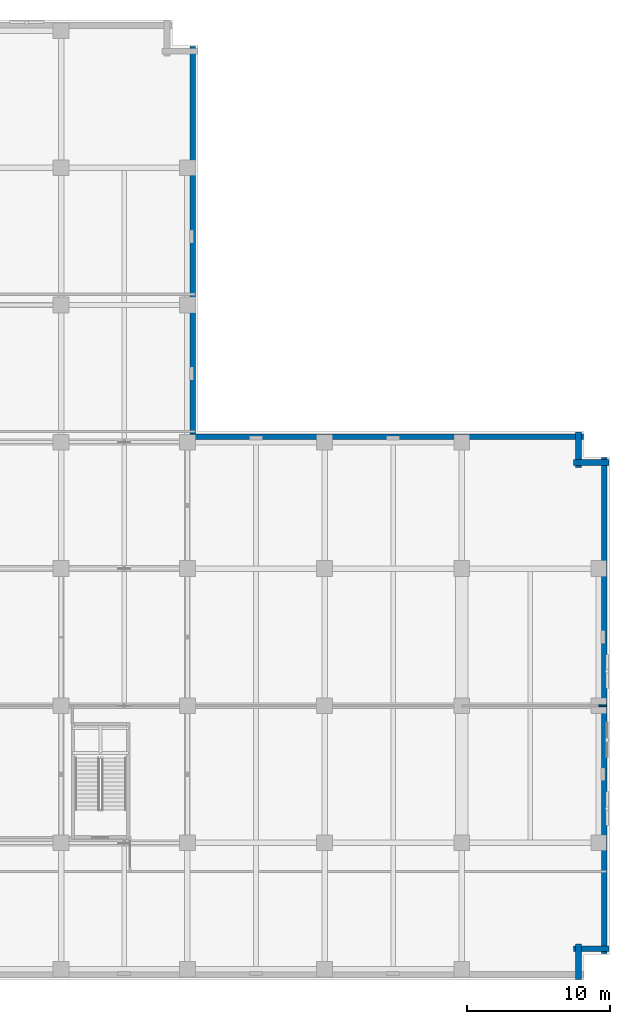
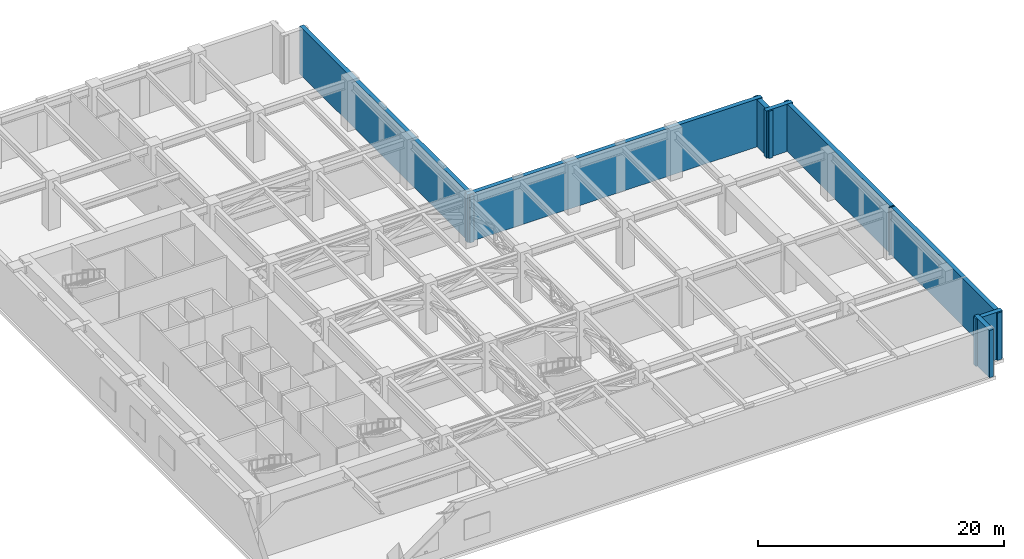
# One storey, part 16 of 22: 8 walls.
"""IFC4 building model written with IfcOpenShell, lengths in metres."""

from ifc_helpers import new_model, si_unit, direction, frame, frame_2d, origin, place, context, subcontext, project, spatial, rectangle, extrude, material, layer, layer_set, type_object, element, save


model = new_model("IFC4")

# Units and contexts
model_context = context("Model", 3, precision=1e-05, world=origin(), true_north=direction((0.0, 1.0)))
body_context = subcontext(model_context, "Body", "Model", "MODEL_VIEW")
ifc_project = project(units=[si_unit("LENGTHUNIT", "METRE"), si_unit("AREAUNIT", "SQUARE_METRE"), si_unit("VOLUMEUNIT", "CUBIC_METRE"), si_unit("PLANEANGLEUNIT", "RADIAN"), si_unit("MASSUNIT", "GRAM", prefix="KILO")], contexts=[model_context])

# Site, building, storey
site_placement = place(None, origin())
site = spatial("IfcSite", under=ifc_project, at=site_placement, CompositionType="ELEMENT")
building_placement = place(site_placement, origin())
building = spatial("IfcBuilding", under=site, at=building_placement, Name="Norrvale University Quadrangle", CompositionType="ELEMENT")
storey_placement = place(building_placement, frame((0.0, 0.0, 96.39990234375)))
storey = spatial("IfcBuildingStorey", under=building, at=storey_placement, Name="L24", CompositionType="ELEMENT", Elevation=96.39990234375)

# Walls
ifc_material_1 = material(Name="Standard Academic Gypsum Partition")
ifc_layer_1 = layer(ifc_material_1, 0.125, Name="Standard Academic Gypsum Partition")
ifc_layer_set_1 = layer_set([ifc_layer_1], Name="Standard Academic Gypsum Partition")
wall_type_1 = type_object("IfcWallType", Name="Wall Gypsum Academic 125", PredefinedType="PARTITIONING", material=ifc_layer_set_1)
wall_1_placement = place(storey_placement, frame((66.449951171875, 19.199951171875, 0.0), z_axis=(0.0, 0.0, 1.0), x_axis=(1.0, 0.0, 0.0)))
element("IfcWall", 1, at=wall_1_placement, inside=storey, type_object=wall_type_1, Name="Interior Partition WL-L24-SUB-N-B4", PredefinedType="PARTITIONING", context=body_context, shape_type="SweptSolid", body=[
    extrude(rectangle(XDim=0.530029296875, YDim=0.125, at=frame_2d((0.26513671875, 0.0))), origin(), (0.0, 0.0, 1.0), 4.739990234375),
])
ifc_material_2 = material(Name="Red Manganese Brick Masonry", Category="masonry")
ifc_layer_2 = layer(ifc_material_2, 0.39990234375, Name="Red Manganese Brick Masonry")
ifc_layer_set_2 = layer_set([ifc_layer_2], Name="Red Manganese Brick Masonry")
wall_type_2 = type_object("IfcWallType", Name="Wall Red Brick 400", PredefinedType="SOLIDWALL", material=ifc_layer_set_2)
for number, where, z_axis, x_axis, name in (
    (2, (65.02001953125, 0.0400390625, 0.0), (0.0, 0.0, 1.0), (0.0, 1.0, 0.0), "Exterior Brick Facade Wall L24-02.1"),
    (3, (64.679931640625, 2.179931640625, 0.0), (0.0, 0.0, 1.0), (1.0, 0.0, 0.0), "Exterior Brick Facade Wall L24-03.1"),
):
    element("IfcWall", number, at=place(storey_placement, frame(where, z_axis=z_axis, x_axis=x_axis)), inside=storey, type_object=wall_type_2, Name=name, PredefinedType="SOLIDWALL", context=body_context, shape_type="SweptSolid", body=[
        extrude(rectangle(XDim=2.47998046875, YDim=0.39990234375, at=frame_2d((1.239990234375, 0.0))), origin(), (0.0, 0.0, 1.0), 4.7001953125),
    ])
wall_2_placement = place(storey_placement, frame((66.820068359375, 1.840087890625, 0.0), z_axis=(0.0, 0.0, 1.0), x_axis=(0.0, 1.0, 0.0)))
element("IfcWall", 4, at=wall_2_placement, inside=storey, type_object=wall_type_2, Name="Exterior Brick Facade Wall L24-04.1", PredefinedType="SOLIDWALL", context=body_context, shape_type="SweptSolid", body=[
    extrude(rectangle(XDim=34.719970703125, YDim=0.39990234375, at=frame_2d((17.35986328125, 0.0))), origin(), (0.0, 0.0, 1.0), 4.7001953125),
])
wall_3_placement = place(storey_placement, frame((67.159912109375, 36.219970703125, 0.0), z_axis=(0.0, 0.0, 1.0), x_axis=(-1.0, 0.0, 0.0)))
element("IfcWall", 5, at=wall_3_placement, inside=storey, type_object=wall_type_2, Name="Exterior Brick Facade Wall L24-05.1", PredefinedType="SOLIDWALL", context=body_context, shape_type="SweptSolid", body=[
    extrude(rectangle(XDim=2.47998046875, YDim=0.39990234375, at=frame_2d((1.239990234375, 0.0))), origin(), (0.0, 0.0, 1.0), 4.7001953125),
])
wall_4_placement = place(storey_placement, frame((65.02001953125, 35.8798828125, 0.0), z_axis=(0.0, 0.0, 1.0), x_axis=(0.0, 1.0, 0.0)))
element("IfcWall", 6, at=wall_4_placement, inside=storey, type_object=wall_type_2, Name="Exterior Brick Facade Wall L24-06.1", PredefinedType="SOLIDWALL", context=body_context, shape_type="SweptSolid", body=[
    extrude(rectangle(XDim=2.480224609375, YDim=0.39990234375, at=frame_2d((1.240234375, 0.0))), origin(), (0.0, 0.0, 1.0), 4.7001953125),
])
for number, where, z_axis, x_axis, name in (
    (7, (65.360107421875, 38.02001953125, 0.0), (0.0, 0.0, 1.0), (-1.0, 0.0, 0.0), "Exterior Brick Facade Wall L24-07.1"),
    (8, (38.02001953125, 37.679931640625, 0.0), (0.0, 0.0, 1.0), (0.0, 1.0, 0.0), "Exterior Brick Facade Wall L24-08.1"),
):
    element("IfcWall", number, at=place(storey_placement, frame(where, z_axis=z_axis, x_axis=x_axis)), inside=storey, type_object=wall_type_2, Name=name, PredefinedType="SOLIDWALL", context=body_context, shape_type="SweptSolid", body=[
        extrude(rectangle(XDim=27.68017578125, YDim=0.39990234375, at=frame_2d((13.840087890625, 0.0))), origin(), (0.0, 0.0, 1.0), 4.739990234375),
    ])

save(model, "model.ifc")
